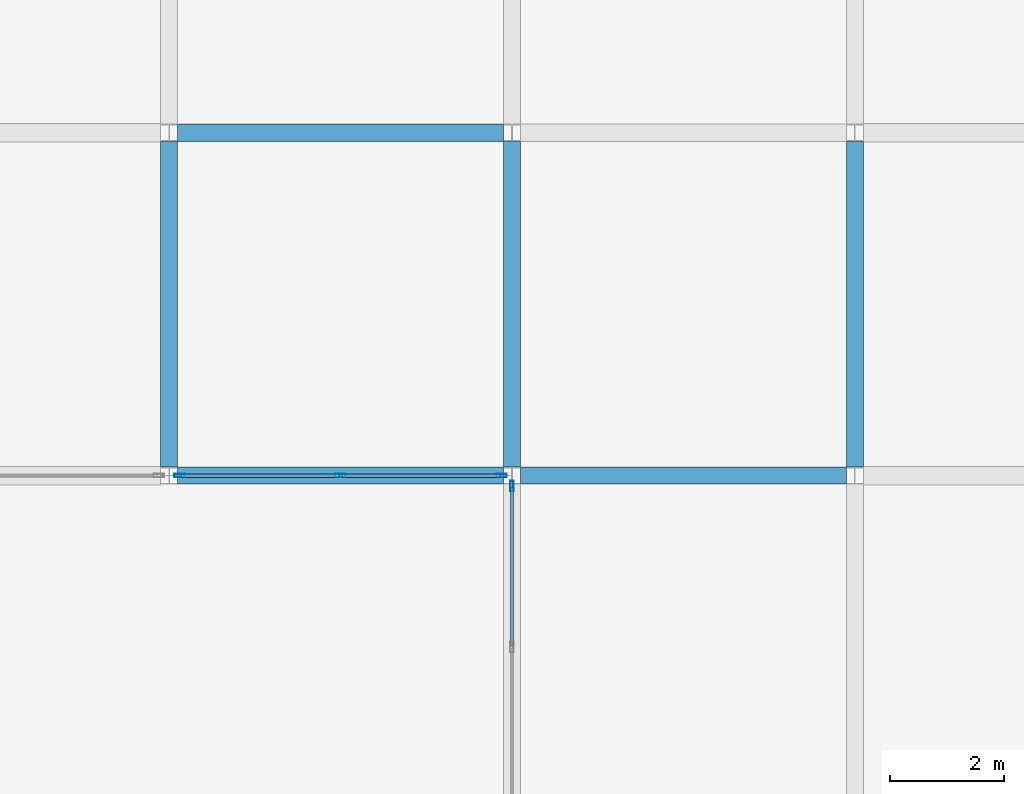
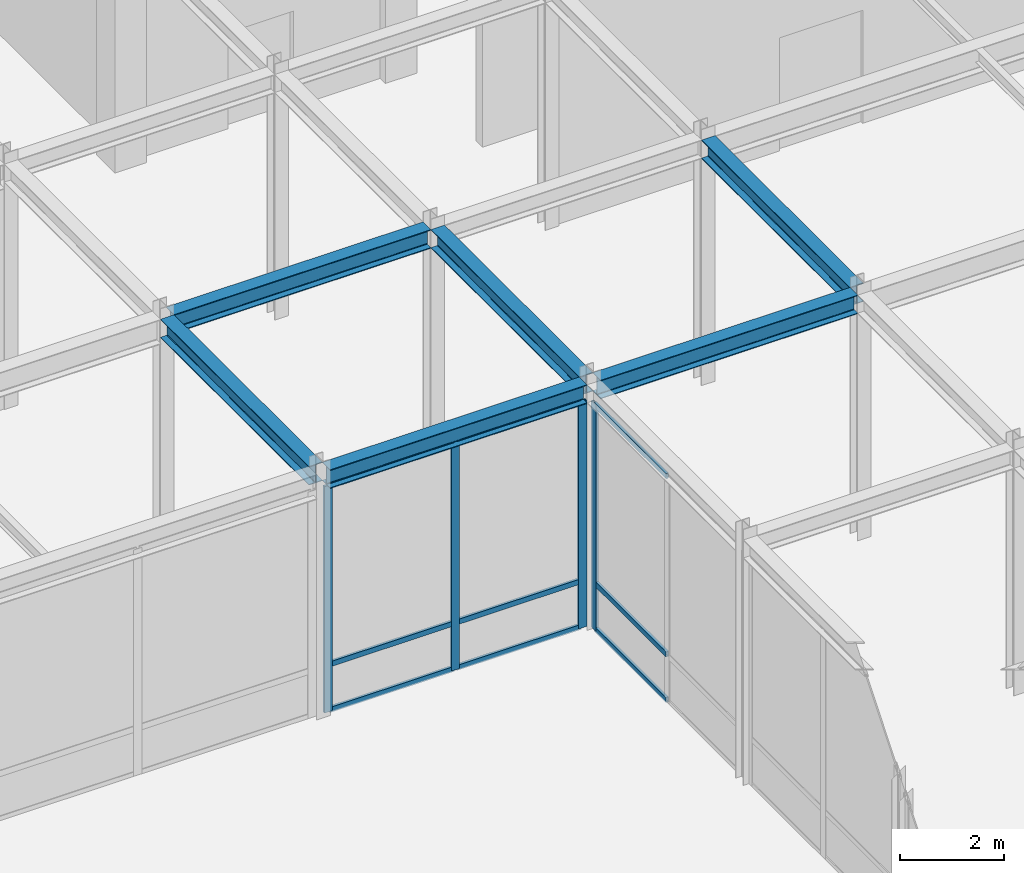
# One storey, part 91 of 108: 13 members, 6 beams, 2 elements without a shape of their own.
"""IFC4 building model written with IfcOpenShell, lengths in metres."""

from ifc_helpers import new_model, si_unit, direction, frame, origin, origin_2d, place, context, subcontext, project, spatial, hollow_rectangle, i_section, extrude, material, layer, layer_set, material_profile, profile_set, type_object, element, aggregate, save


model = new_model("IFC4")

# Units and contexts
model_context = context("Model", 3, precision=1e-05, world=origin(), true_north=direction((0.0, 1.0)))
body_context = subcontext(model_context, "Body", "Model", "MODEL_VIEW")
ifc_project = project(units=[si_unit("LENGTHUNIT", "METRE"), si_unit("AREAUNIT", "SQUARE_METRE"), si_unit("VOLUMEUNIT", "CUBIC_METRE"), si_unit("PLANEANGLEUNIT", "RADIAN"), si_unit("MASSUNIT", "GRAM", prefix="KILO")], contexts=[model_context])

# Site, building, storey
site_placement = place(None, origin())
site = spatial("IfcSite", under=ifc_project, at=site_placement, CompositionType="ELEMENT")
building_placement = place(site_placement, origin())
building = spatial("IfcBuilding", under=site, at=building_placement, Name="Zlatovratsky Civic Hall", CompositionType="ELEMENT")
storey_placement = place(building_placement, frame((0.0, 0.0, 6.0)))
storey = spatial("IfcBuildingStorey", under=building, at=storey_placement, Name="L02", CompositionType="ELEMENT", Elevation=6.0)

# Beams
ifc_material_1 = material(Name="Steel S355", Category="steel")
ifc_material_profile_1 = material_profile(ifc_material_1, i_section(OverallWidth=0.300048828125, OverallDepth=0.43994140625, WebThickness=0.010986328125, FlangeThickness=0.01806640625, FilletRadius=0.02197265625, at=origin_2d()), Name="45Sh1")
ifc_profile_set_1 = profile_set([ifc_material_profile_1], Name="Steel S355")
beam_type = type_object("IfcBeamType", Name="Beam_TowerLow_45Sh1", PredefinedType="BEAM", material=ifc_profile_set_1)
for number, where, z_axis, x_axis, name in (
    (1, (144.14990234375, 66.0, 5.5400390625), (1.0, 0.0, 0.0), (0.0, 1.0, 0.0), "BM-1882"),
    (2, (150.14990234375, 66.0, 5.5400390625), (1.0, 0.0, 0.0), (0.0, 1.0, 0.0), "BM-1883"),
    (3, (144.14990234375, 72.0, 5.5400390625), (1.0, 0.0, 0.0), (0.0, 1.0, 0.0), "BM-1904"),
    (4, (144.0, 66.14990234375, 5.5400390625), (0.0, 1.0, 0.0), (-1.0, 0.0, 0.0), "BM-2330"),
    (5, (150.0, 66.14990234375, 5.5400390625), (0.0, 1.0, 0.0), (-1.0, 0.0, 0.0), "BM-2347"),
    (6, (156.0, 66.14990234375, 5.5400390625), (0.0, 1.0, 0.0), (-1.0, 0.0, 0.0), "BM-2364"),
):
    element("IfcBeam", number, at=place(storey_placement, frame(where, z_axis=z_axis, x_axis=x_axis)), inside=storey, type_object=beam_type, Name=name, PredefinedType="BEAM", context=body_context, shape_type="SweptSolid", body=[
        extrude(i_section(OverallWidth=0.300048828125, OverallDepth=0.43994140625, WebThickness=0.010986328125, FlangeThickness=0.01806640625, FilletRadius=0.02197265625, at=origin_2d()), origin(), (0.0, 0.0, 1.0), 5.7001953125),
    ])

# Curtain wall, members
ifc_material_2 = material(Name="Anodised bronze aluminium", Category="aluminium")
ifc_layer = layer(ifc_material_2, 0.159912109375)
ifc_layer_set = layer_set([ifc_layer], Name="Anodised bronze aluminium")
curtain_wall_type = type_object("IfcCurtainWallType", Name="CurtainWall_Bronze_5700x5310_06", PredefinedType="NOTDEFINED", material=ifc_layer_set)
curtain_wall_1_placement = place(storey_placement, origin())
curtain_wall_1 = element("IfcCurtainWall", 7, at=curtain_wall_1_placement, inside=storey, type_object=curtain_wall_type, Name="CW-032", PredefinedType="NOTDEFINED")
ifc_material_profile_2 = material_profile(ifc_material_2, hollow_rectangle(XDim=0.06005859375, YDim=0.179931640625, WallThickness=0.00390625, at=origin_2d()), Name="ALU 60x180x4")
ifc_profile_set_2 = profile_set([ifc_material_profile_2], Name="Anodised bronze aluminium")
member_type_1 = type_object("IfcMemberType", Name="CW_Mullion_60x180", PredefinedType="MULLION", material=ifc_profile_set_2)
member_1_placement = place(storey_placement, frame((144.179931640625, 66.0, 0.0), z_axis=(0.0, 0.0, 1.0), x_axis=(0.0, 1.0, 0.0)))
member_1 = element("IfcMember", 8, at=member_1_placement, type_object=member_type_1, Name="CW-06 mullion 1", PredefinedType="MULLION", context=body_context, shape_type="SweptSolid", body=[
    extrude(hollow_rectangle(XDim=0.06005859375, YDim=0.179931640625, WallThickness=0.00390625, at=origin_2d()), origin(), (0.0, 0.0, 1.0), 5.31005859375),
])
member_2_placement = place(storey_placement, frame((147.0, 66.0, 0.0), z_axis=(0.0, 0.0, 1.0), x_axis=(0.0, 1.0, 0.0)))
member_2 = element("IfcMember", 9, at=member_2_placement, type_object=member_type_1, Name="CW-06 mullion 2", PredefinedType="MULLION", context=body_context, shape_type="SweptSolid", body=[
    extrude(hollow_rectangle(XDim=0.06005859375, YDim=0.179931640625, WallThickness=0.00390625, at=origin_2d()), origin(), (0.0, 0.0, 1.0), 5.31005859375),
])
member_3_placement = place(storey_placement, frame((149.820068359375, 66.0, 0.0), z_axis=(0.0, 0.0, 1.0), x_axis=(0.0, 1.0, 0.0)))
member_3 = element("IfcMember", 10, at=member_3_placement, type_object=member_type_1, Name="CW-06 mullion 3", PredefinedType="MULLION", context=body_context, shape_type="SweptSolid", body=[
    extrude(hollow_rectangle(XDim=0.06005859375, YDim=0.179931640625, WallThickness=0.00390625, at=origin_2d()), origin(), (0.0, 0.0, 1.0), 5.31005859375),
])

# Curtain wall, member
curtain_wall_2_placement = place(storey_placement, origin())
curtain_wall_2 = element("IfcCurtainWall", 11, at=curtain_wall_2_placement, inside=storey, type_object=curtain_wall_type, Name="CW-044", PredefinedType="NOTDEFINED")
member_4_placement = place(storey_placement, frame((150.0, 65.820068359375, 0.0), z_axis=(0.0, 0.0, 1.0), x_axis=(-1.0, 0.0, 0.0)))
member_4 = element("IfcMember", 12, at=member_4_placement, type_object=member_type_1, Name="CW-06 mullion 3", PredefinedType="MULLION", context=body_context, shape_type="SweptSolid", body=[
    extrude(hollow_rectangle(XDim=0.06005859375, YDim=0.179931640625, WallThickness=0.00390625, at=origin_2d()), origin(), (0.0, 0.0, 1.0), 5.31005859375),
])

# Member
ifc_material_profile_3 = material_profile(ifc_material_2, hollow_rectangle(XDim=0.06005859375, YDim=0.1201171875, WallThickness=0.00390625, at=origin_2d()), Name="ALU 60x120x4")
ifc_profile_set_3 = profile_set([ifc_material_profile_3], Name="Anodised bronze aluminium")
member_type_2 = type_object("IfcMemberType", Name="CW_Transom_60x120", PredefinedType="USERDEFINED", material=ifc_profile_set_3)
member_5_placement = place(storey_placement, frame((144.2099609375, 66.0, 0.030029296875), z_axis=(1.0, 0.0, 0.0), x_axis=(0.0, 1.0, 0.0)))
member_5 = element("IfcMember", 13, at=member_5_placement, type_object=member_type_2, Name="CW-06 transom 1.1", ObjectType="TRANSOM", PredefinedType="USERDEFINED", context=body_context, shape_type="SweptSolid", body=[
    extrude(hollow_rectangle(XDim=0.06005859375, YDim=0.1201171875, WallThickness=0.00390625, at=origin_2d()), origin(), (0.0, 0.0, 1.0), 2.760009765625),
])

member_6_placement = place(storey_placement, frame((144.2099609375, 66.0, 1.10009765625), z_axis=(1.0, 0.0, 0.0), x_axis=(0.0, 1.0, 0.0)))
member_6 = element("IfcMember", 14, at=member_6_placement, type_object=member_type_2, Name="CW-06 transom 1.2", ObjectType="TRANSOM", PredefinedType="USERDEFINED", context=body_context, shape_type="SweptSolid", body=[
    extrude(hollow_rectangle(XDim=0.06005859375, YDim=0.1201171875, WallThickness=0.00390625, at=origin_2d()), origin(), (0.0, 0.0, 1.0), 2.760009765625),
])

member_7_placement = place(storey_placement, frame((144.2099609375, 66.0, 5.280029296875), z_axis=(1.0, 0.0, 0.0), x_axis=(0.0, 1.0, 0.0)))
member_7 = element("IfcMember", 15, at=member_7_placement, type_object=member_type_2, Name="CW-06 transom 1.3", ObjectType="TRANSOM", PredefinedType="USERDEFINED", context=body_context, shape_type="SweptSolid", body=[
    extrude(hollow_rectangle(XDim=0.06005859375, YDim=0.1201171875, WallThickness=0.00390625, at=origin_2d()), origin(), (0.0, 0.0, 1.0), 2.760009765625),
])

member_8_placement = place(storey_placement, frame((147.030029296875, 66.0, 0.030029296875), z_axis=(1.0, 0.0, 0.0), x_axis=(0.0, 1.0, 0.0)))
member_8 = element("IfcMember", 16, at=member_8_placement, type_object=member_type_2, Name="CW-06 transom 2.1", ObjectType="TRANSOM", PredefinedType="USERDEFINED", context=body_context, shape_type="SweptSolid", body=[
    extrude(hollow_rectangle(XDim=0.06005859375, YDim=0.1201171875, WallThickness=0.00390625, at=origin_2d()), origin(), (0.0, 0.0, 1.0), 2.760009765625),
])

member_9_placement = place(storey_placement, frame((147.030029296875, 66.0, 1.10009765625), z_axis=(1.0, 0.0, 0.0), x_axis=(0.0, 1.0, 0.0)))
member_9 = element("IfcMember", 17, at=member_9_placement, type_object=member_type_2, Name="CW-06 transom 2.2", ObjectType="TRANSOM", PredefinedType="USERDEFINED", context=body_context, shape_type="SweptSolid", body=[
    extrude(hollow_rectangle(XDim=0.06005859375, YDim=0.1201171875, WallThickness=0.00390625, at=origin_2d()), origin(), (0.0, 0.0, 1.0), 2.760009765625),
])

member_10_placement = place(storey_placement, frame((147.030029296875, 66.0, 5.280029296875), z_axis=(1.0, 0.0, 0.0), x_axis=(0.0, 1.0, 0.0)))
member_10 = element("IfcMember", 18, at=member_10_placement, type_object=member_type_2, Name="CW-06 transom 2.3", ObjectType="TRANSOM", PredefinedType="USERDEFINED", context=body_context, shape_type="SweptSolid", body=[
    extrude(hollow_rectangle(XDim=0.06005859375, YDim=0.1201171875, WallThickness=0.00390625, at=origin_2d()), origin(), (0.0, 0.0, 1.0), 2.760009765625),
])

aggregate(curtain_wall_1, [member_1, member_2, member_3, member_5, member_6, member_7, member_8, member_9, member_10])

member_11_placement = place(storey_placement, frame((150.0, 63.030029296875, 0.030029296875), z_axis=(0.0, 1.0, 0.0), x_axis=(-1.0, 0.0, 0.0)))
member_11 = element("IfcMember", 19, at=member_11_placement, type_object=member_type_2, Name="CW-06 transom 2.1", ObjectType="TRANSOM", PredefinedType="USERDEFINED", context=body_context, shape_type="SweptSolid", body=[
    extrude(hollow_rectangle(XDim=0.06005859375, YDim=0.1201171875, WallThickness=0.00390625, at=origin_2d()), origin(), (0.0, 0.0, 1.0), 2.760009765625),
])

member_12_placement = place(storey_placement, frame((150.0, 63.030029296875, 1.10009765625), z_axis=(0.0, 1.0, 0.0), x_axis=(-1.0, 0.0, 0.0)))
member_12 = element("IfcMember", 20, at=member_12_placement, type_object=member_type_2, Name="CW-06 transom 2.2", ObjectType="TRANSOM", PredefinedType="USERDEFINED", context=body_context, shape_type="SweptSolid", body=[
    extrude(hollow_rectangle(XDim=0.06005859375, YDim=0.1201171875, WallThickness=0.00390625, at=origin_2d()), origin(), (0.0, 0.0, 1.0), 2.760009765625),
])

member_13_placement = place(storey_placement, frame((150.0, 63.030029296875, 5.280029296875), z_axis=(0.0, 1.0, 0.0), x_axis=(-1.0, 0.0, 0.0)))
member_13 = element("IfcMember", 21, at=member_13_placement, type_object=member_type_2, Name="CW-06 transom 2.3", ObjectType="TRANSOM", PredefinedType="USERDEFINED", context=body_context, shape_type="SweptSolid", body=[
    extrude(hollow_rectangle(XDim=0.06005859375, YDim=0.1201171875, WallThickness=0.00390625, at=origin_2d()), origin(), (0.0, 0.0, 1.0), 2.760009765625),
])

aggregate(curtain_wall_2, [member_4, member_11, member_12, member_13])

save(model, "model.ifc")
